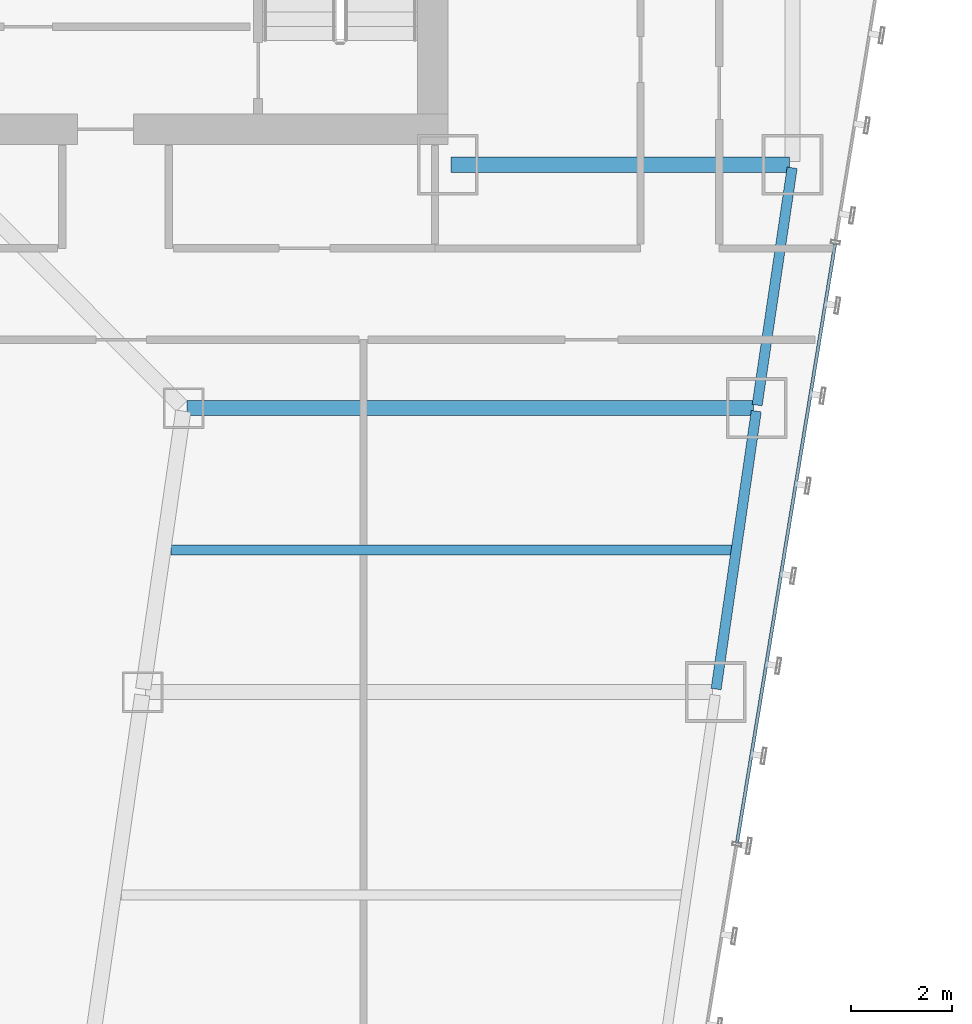
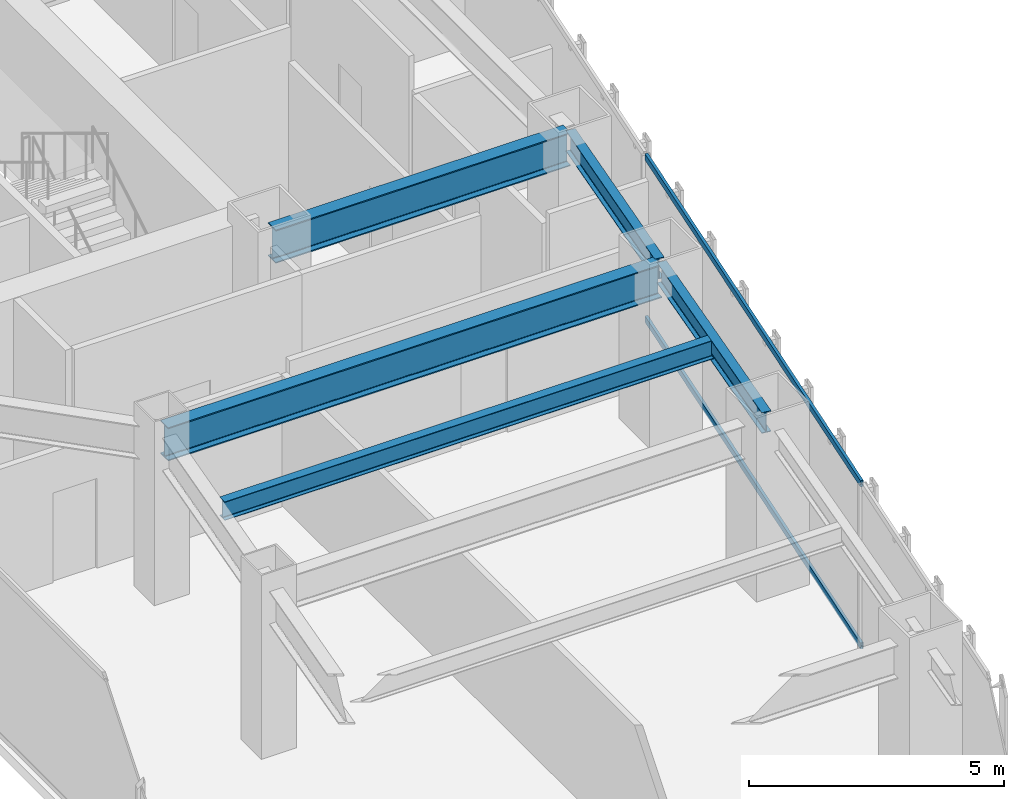
# One storey, part 30 of 47: 5 beams, 2 members, 1 element without a shape of its own.
"""IFC4 building model written with IfcOpenShell, lengths in metres."""

from ifc_helpers import new_model, si_unit, direction, frame, origin, origin_2d, place, context, subcontext, project, spatial, hollow_rectangle, i_section, extrude, material, material_profile, profile_set, type_object, element, aggregate, save


model = new_model("IFC4")

# Units and contexts
model_context = context("Model", 3, precision=1e-05, world=origin(), true_north=direction((0.0, 1.0)))
body_context = subcontext(model_context, "Body", "Model", "MODEL_VIEW")
ifc_project = project(units=[si_unit("LENGTHUNIT", "METRE"), si_unit("AREAUNIT", "SQUARE_METRE"), si_unit("VOLUMEUNIT", "CUBIC_METRE"), si_unit("PLANEANGLEUNIT", "RADIAN"), si_unit("MASSUNIT", "GRAM", prefix="KILO")], contexts=[model_context])

# Site, building, storey
site_placement = place(None, origin())
site = spatial("IfcSite", under=ifc_project, at=site_placement, CompositionType="ELEMENT")
building_placement = place(site_placement, origin())
building = spatial("IfcBuilding", under=site, at=building_placement, Name="Saevonmaru Cultural Tower", CompositionType="ELEMENT")
storey_placement = place(building_placement, frame((0.0, 0.0, 82.39990234375)))
storey = spatial("IfcBuildingStorey", under=building, at=storey_placement, Name="L17", CompositionType="ELEMENT", Elevation=82.39990234375)

# Beams
ifc_material_1 = material(Name="Steel SM420", Category="steel")
ifc_material_profile_1 = material_profile(ifc_material_1, i_section(OverallWidth=0.300048828125, OverallDepth=0.800048828125, WebThickness=0.013916015625, FlangeThickness=0.02587890625, FilletRadius=0.028076171875, at=origin_2d()), Name="H-800x300x14x26")
ifc_profile_set_1 = profile_set([ifc_material_profile_1], Name="Steel SM420")
beam_type_1 = type_object("IfcBeamType", Name="BM-G-H800", PredefinedType="BEAM", material=ifc_profile_set_1)
beam_1_placement = place(storey_placement, frame((46.4599609375, 42.39990234375, 3.550048828125), z_axis=(1.0, 0.0, 0.0), x_axis=(0.0, 1.0, 0.0)))
element("IfcBeam", 1, at=beam_1_placement, inside=storey, type_object=beam_type_1, Name="L17 Core South Girder 5", PredefinedType="BEAM", context=body_context, shape_type="SweptSolid", body=[
    extrude(i_section(OverallWidth=0.300048828125, OverallDepth=0.800048828125, WebThickness=0.013916015625, FlangeThickness=0.02587890625, FilletRadius=0.028076171875, at=origin_2d()), origin(), (0.0, 0.0, 1.0), 6.679931640625),
])
beam_2_placement = place(storey_placement, frame((41.251953125, 37.60009765625, 3.550048828125), z_axis=(1.0, 0.0, 0.0), x_axis=(0.0, 1.0, 0.0)))
element("IfcBeam", 2, at=beam_2_placement, inside=storey, type_object=beam_type_1, Name="L17 East Wing Transverse Girder 6", PredefinedType="BEAM", context=body_context, shape_type="SweptSolid", body=[
    extrude(i_section(OverallWidth=0.300048828125, OverallDepth=0.800048828125, WebThickness=0.013916015625, FlangeThickness=0.02587890625, FilletRadius=0.028076171875, at=origin_2d()), origin(), (0.0, 0.0, 1.0), 11.179931640625),
])
ifc_material_2 = material(Name="Steel SM355", Category="steel")
ifc_material_profile_2 = material_profile(ifc_material_2, i_section(OverallWidth=0.199951171875, OverallDepth=0.449951171875, WebThickness=0.009033203125, FlangeThickness=0.013916015625, FilletRadius=0.01806640625, at=origin_2d()), Name="H-450x200x9x14")
ifc_profile_set_2 = profile_set([ifc_material_profile_2], Name="Steel SM355")
beam_type_2 = type_object("IfcBeamType", Name="BM-J-H450", PredefinedType="JOIST", material=ifc_profile_set_2)
beam_3_placement = place(storey_placement, frame((40.945556640625, 34.800048828125, 3.72509765625), z_axis=(1.0, 0.0, 0.0), x_axis=(0.0, 1.0, 0.0)))
element("IfcBeam", 3, at=beam_3_placement, inside=storey, type_object=beam_type_2, Name="L17 East Wing Floor Joist 5", PredefinedType="JOIST", context=body_context, shape_type="SweptSolid", body=[
    extrude(i_section(OverallWidth=0.199951171875, OverallDepth=0.449951171875, WebThickness=0.009033203125, FlangeThickness=0.013916015625, FilletRadius=0.01806640625, at=origin_2d()), origin(), (0.0, 0.0, 1.0), 11.08203125),
])
ifc_material_profile_3 = material_profile(ifc_material_2, i_section(OverallWidth=0.199951171875, OverallDepth=0.5, WebThickness=0.010009765625, FlangeThickness=0.01611328125, FilletRadius=0.02001953125, at=origin_2d()), Name="H-500x200x10x16")
ifc_profile_set_3 = profile_set([ifc_material_profile_3], Name="Steel SM355")
beam_type_3 = type_object("IfcBeamType", Name="BM-SP-H500", PredefinedType="SPANDREL", material=ifc_profile_set_3)
beam_4_placement = place(storey_placement, frame((51.691650390625, 32.059326171875, 3.7001953125), z_axis=(0.142964121327, 0.989727871697, 0.0), x_axis=(-0.989727871697, 0.142964121327, 0.0)))
element("IfcBeam", 4, at=beam_4_placement, inside=storey, type_object=beam_type_3, Name="L17 East Splayed Spandrel 5", PredefinedType="SPANDREL", context=body_context, shape_type="SweptSolid", body=[
    extrude(i_section(OverallWidth=0.199951171875, OverallDepth=0.5, WebThickness=0.010009765625, FlangeThickness=0.01611328125, FilletRadius=0.02001953125, at=origin_2d()), origin(), (0.0, 0.0, 1.0), 5.5380859375),
])
beam_5_placement = place(storey_placement, frame((52.500732421875, 37.659423828125, 3.7001953125), z_axis=(0.145912860028, 0.989297446312, 0.0), x_axis=(-0.989297446312, 0.145912860028, 0.0)))
element("IfcBeam", 5, at=beam_5_placement, inside=storey, type_object=beam_type_3, Name="L17 East Splayed Spandrel 6", PredefinedType="SPANDREL", context=body_context, shape_type="SweptSolid", body=[
    extrude(i_section(OverallWidth=0.199951171875, OverallDepth=0.5, WebThickness=0.010009765625, FlangeThickness=0.01611328125, FilletRadius=0.02001953125, at=origin_2d()), origin(), (0.0, 0.0, 1.0), 4.731689453125),
])

# Curtain wall, members
ifc_material_3 = material(Name="Satin Bronze Anodised Aluminium", Category="aluminium")
curtain_wall_type = type_object("IfcCurtainWallType", Name="CW-TYP-A", PredefinedType="NOTDEFINED", material=ifc_material_3)
curtain_wall_placement = place(storey_placement, origin())
curtain_wall = element("IfcCurtainWall", 6, at=curtain_wall_placement, inside=storey, type_object=curtain_wall_type, Name="L17 Unitised Curtain Wall E8", PredefinedType="NOTDEFINED")
ifc_material_profile_4 = material_profile(ifc_material_3, hollow_rectangle(XDim=0.06494140625, YDim=0.14990234375, WallThickness=0.00390625, at=origin_2d()), Name="ALU-TRAN-150x65x4")
ifc_profile_set_4 = profile_set([ifc_material_profile_4], Name="Satin Bronze Anodised Aluminium")
member_type = type_object("IfcMemberType", Name="TR-CW-150x65", PredefinedType="USERDEFINED", material=ifc_profile_set_4)
member_1_placement = place(storey_placement, frame((52.105224609375, 29.031982421875, 0.03271484375), z_axis=(0.161701400727, 0.986839732177, 0.0), x_axis=(-0.986839732177, 0.161701400727, 0.0)))
member_1 = element("IfcMember", 7, at=member_1_placement, type_object=member_type, Name="CW-TW-L17-E8 transom 3.1", ObjectType="TRANSOM", PredefinedType="USERDEFINED", context=body_context, shape_type="SweptSolid", body=[
    extrude(hollow_rectangle(XDim=0.06494140625, YDim=0.14990234375, WallThickness=0.00390625, at=origin_2d()), origin(), (0.0, 0.0, 1.0), 11.9638671875),
])
member_2_placement = place(storey_placement, frame((52.105224609375, 29.031982421875, 3.91748046875), z_axis=(0.161701400727, 0.986839732177, 0.0), x_axis=(-0.986839732177, 0.161701400727, 0.0)))
member_2 = element("IfcMember", 8, at=member_2_placement, type_object=member_type, Name="CW-TW-L17-E8 transom 3.2", ObjectType="TRANSOM", PredefinedType="USERDEFINED", context=body_context, shape_type="SweptSolid", body=[
    extrude(hollow_rectangle(XDim=0.06494140625, YDim=0.14990234375, WallThickness=0.00390625, at=origin_2d()), origin(), (0.0, 0.0, 1.0), 11.9638671875),
])
aggregate(curtain_wall, [member_1, member_2])

save(model, "model.ifc")
